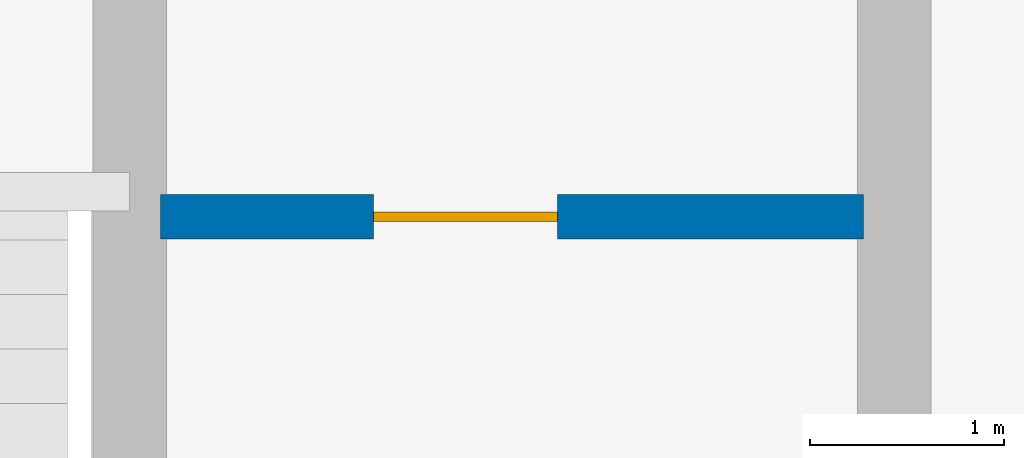
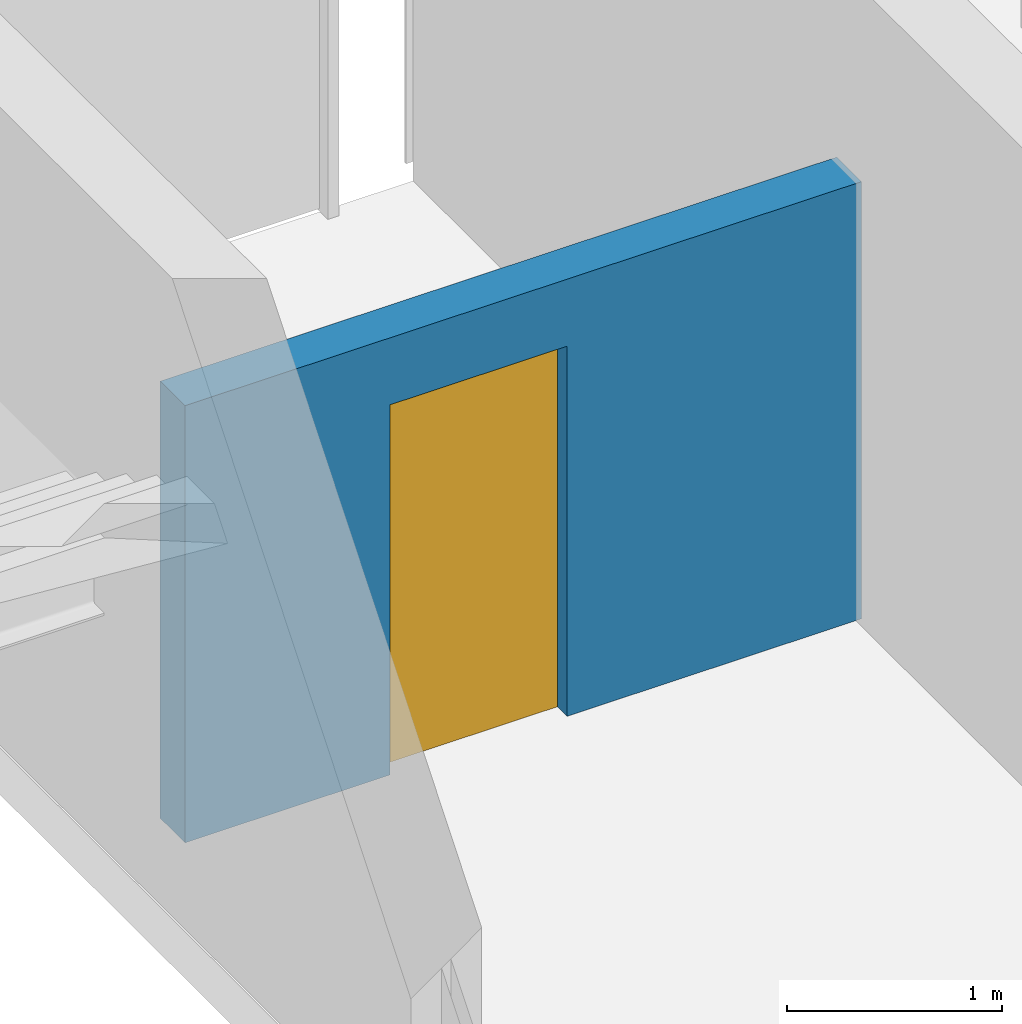
# One storey, part 44 of 76: 1 door, 1 wall, 1 opening.
"""IFC4 building model written with IfcOpenShell, lengths in metres."""

from ifc_helpers import new_model, si_unit, derived_unit, direction, frame, frame_2d, origin, place, context, subcontext, project, spatial, rectangle, extrude, material, layer, layer_set, type_object, element, fill, save


model = new_model("IFC4")

# Units and contexts
model_context = context("Model", 3, precision=1e-05, world=origin(), true_north=direction((0.0, 1.0)))
body_context = subcontext(model_context, "Body", "Model", "MODEL_VIEW")
ifc_project = project(units=[si_unit("LENGTHUNIT", "METRE"), si_unit("AREAUNIT", "SQUARE_METRE"), si_unit("VOLUMEUNIT", "CUBIC_METRE"), si_unit("PLANEANGLEUNIT", "RADIAN"), si_unit("MASSUNIT", "GRAM", prefix="KILO"), si_unit("THERMODYNAMICTEMPERATUREUNIT", "KELVIN"), derived_unit("THERMALTRANSMITTANCEUNIT", [(si_unit("POWERUNIT", "WATT"), 1), (si_unit("AREAUNIT", "SQUARE_METRE"), -1), (si_unit("THERMODYNAMICTEMPERATUREUNIT", "KELVIN"), -1)])], contexts=[model_context])

# Site, building, storey
site_placement = place(None, origin())
site = spatial("IfcSite", under=ifc_project, at=site_placement, CompositionType="ELEMENT")
building_placement = place(site_placement, origin())
building = spatial("IfcBuilding", under=site, at=building_placement, Name="Haiyu Intermodal Mobility Hub", CompositionType="ELEMENT")
storey_placement = place(building_placement, frame((0.0, 0.0, 17.300048828125)))
storey = spatial("IfcBuildingStorey", under=building, at=storey_placement, Name="L04", CompositionType="ELEMENT", Elevation=17.300048828125)

# Wall, opening, door
ifc_material_1 = material(Name="Autoclaved aerated concrete block A5.0", Category="concrete")
ifc_layer = layer(ifc_material_1, 0.22998046875)
ifc_layer_set = layer_set([ifc_layer], Name="Autoclaved aerated concrete block A5.0")
wall_type = type_object("IfcWallType", Name="WAL-WI01", PredefinedType="PARTITIONING", material=ifc_layer_set)
wall_placement = place(storey_placement, frame((26.2099609375, 144.0, 0.0), z_axis=(0.0, 0.0, 1.0), x_axis=(1.0, 0.0, 0.0)))
wall = element("IfcWall", 1, at=wall_placement, inside=storey, type_object=wall_type, Name="WAL-CORE-C3-LFT-L04", PredefinedType="PARTITIONING", context=body_context, shape_type="SweptSolid", body=[
    extrude(rectangle(XDim=3.630126953125, YDim=0.22998046875, at=frame_2d((1.81494140625, 0.0))), origin(), (0.0, 0.0, 1.0), 2.47998046875),
])
opening_placement = place(wall_placement, frame((1.10009765625, 0.0, 0.0)))
opening = element("IfcOpeningElement", 2, at=opening_placement, cuts=wall, Name="Opening DI07", PredefinedType="OPENING", context=body_context, shape_type="SweptSolid", body=[
    extrude(rectangle(XDim=0.949951171875, YDim=2.10009765625, at=frame_2d((0.47509765625, 1.050048828125))), frame((0.0, 0.125, 0.0), z_axis=(0.0, -1.0, 0.0), x_axis=(1.0, 0.0, 0.0)), (0.0, 0.0, 1.0), 0.25),
])
ifc_material_2 = material(Name="Steel Q355C", Category="steel")
door_type = type_object("IfcDoorType", Name="DR-DI07", OperationType="NOTDEFINED", PredefinedType="DOOR", material=ifc_material_2)
door_placement = place(opening_placement, origin())
door = element("IfcDoor", 3, at=door_placement, inside=storey, type_object=door_type, Name="Core C3 Accessible WC Door L04", OperationType="SINGLE_SWING_RIGHT", OverallHeight=2.10009765625, OverallWidth=0.949951171875, PredefinedType="DOOR", context=body_context, shape_type="SweptSolid", body=[
    extrude(rectangle(XDim=0.949951171875, YDim=2.10009765625, at=frame_2d((0.47509765625, 1.050048828125))), frame((0.0, 0.02490234375, 0.0), z_axis=(0.0, -1.0, 0.0), x_axis=(1.0, 0.0, 0.0)), (0.0, 0.0, 1.0), 0.050048828125),
])
fill(opening, door)

save(model, "model.ifc")
